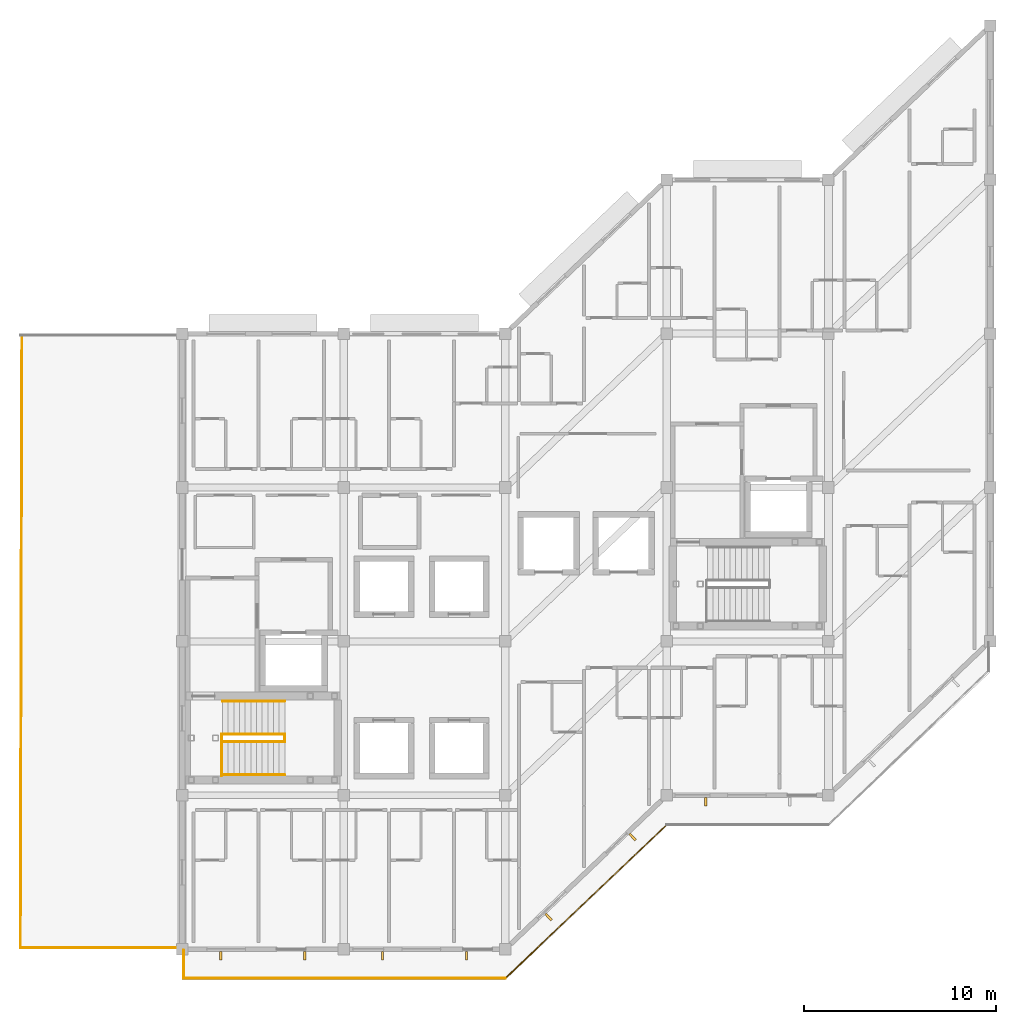
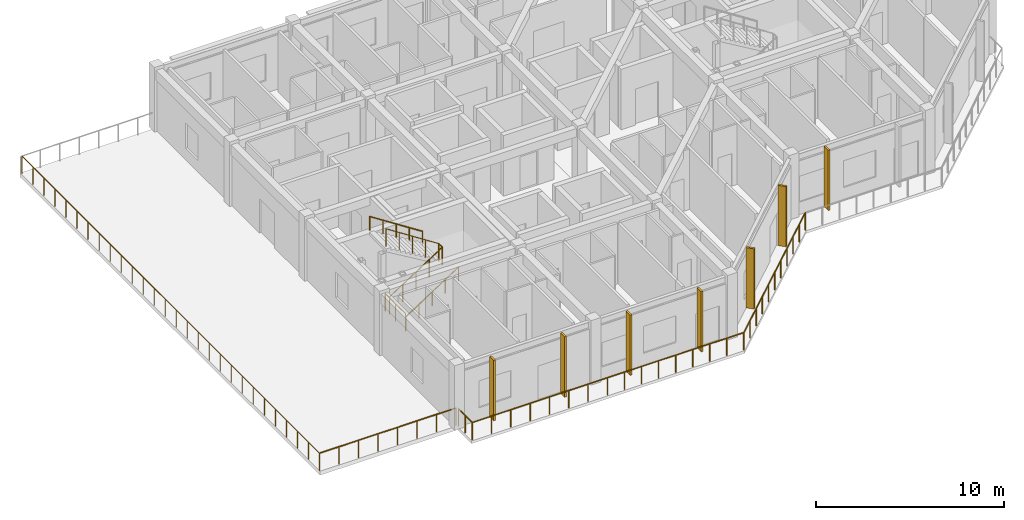
# One storey, part 11 of 13: 12 railings, 7 shading devices.
"""IFC4 building model written with IfcOpenShell, lengths in metres."""

from ifc_helpers import new_model, si_unit, direction, frame, origin, origin_2d, place, context, subcontext, project, spatial, rectangle, circle, extrude, material, layer, layer_set, type_object, element, save


model = new_model("IFC4")

# Units and contexts
model_context = context("Model", 3, precision=1e-05, world=origin(), true_north=direction((0.0, 1.0)))
body_context = subcontext(model_context, "Body", "Model", "MODEL_VIEW")
ifc_project = project(units=[si_unit("LENGTHUNIT", "METRE"), si_unit("AREAUNIT", "SQUARE_METRE"), si_unit("VOLUMEUNIT", "CUBIC_METRE"), si_unit("PLANEANGLEUNIT", "RADIAN"), si_unit("MASSUNIT", "GRAM", prefix="KILO")], contexts=[model_context])

# Site, building, storey
site_placement = place(None, origin())
site = spatial("IfcSite", under=ifc_project, at=site_placement, CompositionType="ELEMENT")
building_placement = place(site_placement, origin())
building = spatial("IfcBuilding", under=site, at=building_placement, Name="Naruveol Harbour Congress Hotel", CompositionType="ELEMENT")
storey_placement = place(building_placement, frame((0.0, 0.0, 43.199951171875)))
storey = spatial("IfcBuildingStorey", under=building, at=storey_placement, Name="L10", CompositionType="ELEMENT", Elevation=43.199951171875)

# Railings
ifc_material_1 = material(Name="Tempered Laminated Safety Glass & Stainless Steel", Category="steel")
ifc_layer_1 = layer(ifc_material_1, 0.06005859375)
ifc_layer_set_1 = layer_set([ifc_layer_1], Name="Tempered Laminated Safety Glass & Stainless Steel")
railing_type_1 = type_object("IfcRailingType", Name="LAMINATED GLASS TERRACE BALUSTRADE 1150", PredefinedType="BALUSTRADE", material=ifc_layer_set_1)
railing_1_placement = place(storey_placement, frame((126.080078125, -0.06005859375, 0.0)))
element("IfcRailing", 1, at=railing_1_placement, inside=storey, type_object=railing_type_1, Name="L10 Harbour balcony balustrade #128", PredefinedType="BALUSTRADE", context=body_context, shape_type="SweptSolid", body=[
    extrude(circle(Radius=0.02392578125, at=origin_2d()), frame((0.0, 0.0, 1.1259765625), z_axis=(0.0, -1.0, 0.0), x_axis=(1.0, 0.0, 0.0)), (0.0, 0.0, 1.0), 1.4599609375),
    extrude(circle(Radius=0.02099609375, at=origin_2d()), origin(), (0.0, 0.0, 1.0), 1.101806640625),
    extrude(circle(Radius=0.02099609375, at=origin_2d()), frame((0.0, -0.72998046875, 0.0)), (0.0, 0.0, 1.0), 1.101806640625),
    extrude(circle(Radius=0.02099609375, at=origin_2d()), frame((0.0, -1.4599609375, 0.0)), (0.0, 0.0, 1.0), 1.101806640625),
])
railing_2_placement = place(storey_placement, frame((126.080078125, -1.52001953125, 0.0)))
element("IfcRailing", 2, at=railing_2_placement, inside=storey, type_object=railing_type_1, Name="L10 Harbour balcony balustrade #129", PredefinedType="BALUSTRADE", context=body_context, shape_type="SweptSolid", body=[
    extrude(circle(Radius=0.02392578125, at=origin_2d()), frame((0.0, 0.0, 1.1259765625), z_axis=(1.0, 0.0, 0.0), x_axis=(0.0, 1.0, 0.0)), (0.0, 0.0, 1.0), 8.31982421875),
    extrude(circle(Radius=0.02099609375, at=origin_2d()), origin(), (0.0, 0.0, 1.0), 1.101806640625),
    extrude(circle(Radius=0.02099609375, at=origin_2d()), frame((1.1884765625, 0.0, 0.0)), (0.0, 0.0, 1.0), 1.101806640625),
    extrude(circle(Radius=0.02099609375, at=origin_2d()), frame((2.377197265625, 0.0, 0.0)), (0.0, 0.0, 1.0), 1.101806640625),
    extrude(circle(Radius=0.02099609375, at=origin_2d()), frame((3.565673828125, 0.0, 0.0)), (0.0, 0.0, 1.0), 1.101806640625),
    extrude(circle(Radius=0.02099609375, at=origin_2d()), frame((4.754150390625, 0.0, 0.0)), (0.0, 0.0, 1.0), 1.101806640625),
    extrude(circle(Radius=0.02099609375, at=origin_2d()), frame((5.942626953125, 0.0, 0.0)), (0.0, 0.0, 1.0), 1.101806640625),
    extrude(circle(Radius=0.02099609375, at=origin_2d()), frame((7.13134765625, 0.0, 0.0)), (0.0, 0.0, 1.0), 1.101806640625),
    extrude(circle(Radius=0.02099609375, at=origin_2d()), frame((8.31982421875, 0.0, 0.0)), (0.0, 0.0, 1.0), 1.101806640625),
])
railing_3_placement = place(storey_placement, frame((134.39990234375, -1.52001953125, 0.0)))
element("IfcRailing", 3, at=railing_3_placement, inside=storey, type_object=railing_type_1, Name="L10 Harbour balcony balustrade #130", PredefinedType="BALUSTRADE", context=body_context, shape_type="SweptSolid", body=[
    extrude(circle(Radius=0.02392578125, at=origin_2d()), frame((0.0, 0.0, 1.1259765625), z_axis=(1.0, 0.0, 0.0), x_axis=(0.0, 1.0, 0.0)), (0.0, 0.0, 1.0), 8.400146484375),
    extrude(circle(Radius=0.02099609375, at=origin_2d()), origin(), (0.0, 0.0, 1.0), 1.101806640625),
    extrude(circle(Radius=0.02099609375, at=origin_2d()), frame((1.050048828125, 0.0, 0.0)), (0.0, 0.0, 1.0), 1.101806640625),
    extrude(circle(Radius=0.02099609375, at=origin_2d()), frame((2.10009765625, 0.0, 0.0)), (0.0, 0.0, 1.0), 1.101806640625),
    extrude(circle(Radius=0.02099609375, at=origin_2d()), frame((3.150146484375, 0.0, 0.0)), (0.0, 0.0, 1.0), 1.101806640625),
    extrude(circle(Radius=0.02099609375, at=origin_2d()), frame((4.2001953125, 0.0, 0.0)), (0.0, 0.0, 1.0), 1.101806640625),
    extrude(circle(Radius=0.02099609375, at=origin_2d()), frame((5.25, 0.0, 0.0)), (0.0, 0.0, 1.0), 1.101806640625),
    extrude(circle(Radius=0.02099609375, at=origin_2d()), frame((6.300048828125, 0.0, 0.0)), (0.0, 0.0, 1.0), 1.101806640625),
    extrude(circle(Radius=0.02099609375, at=origin_2d()), frame((7.35009765625, 0.0, 0.0)), (0.0, 0.0, 1.0), 1.101806640625),
    extrude(circle(Radius=0.02099609375, at=origin_2d()), frame((8.400146484375, 0.0, 0.0)), (0.0, 0.0, 1.0), 1.101806640625),
])
railing_4_placement = place(storey_placement, frame((142.800048828125, -1.52001953125, 0.0)))
element("IfcRailing", 4, at=railing_4_placement, inside=storey, type_object=railing_type_1, Name="L10 Harbour balcony balustrade #131", PredefinedType="BALUSTRADE", context=body_context, shape_type="SweptSolid", body=[
    extrude(circle(Radius=0.02392578125, at=origin_2d()), frame((0.0, 0.0, 1.1259765625), z_axis=(0.724133926887, 0.689659376744, 0.0), x_axis=(-0.689659376744, 0.724133926887, 0.0)), (0.0, 0.0, 1.0), 11.599853515625),
    extrude(circle(Radius=0.02099609375, at=origin_2d()), origin(), (0.0, 0.0, 1.0), 1.101806640625),
    extrude(circle(Radius=0.02099609375, at=origin_2d()), frame((0.840087890625, 0.800048828125, 0.0)), (0.0, 0.0, 1.0), 1.101806640625),
    extrude(circle(Radius=0.02099609375, at=origin_2d()), frame((1.679931640625, 1.60009765625, 0.0)), (0.0, 0.0, 1.0), 1.101806640625),
    extrude(circle(Radius=0.02099609375, at=origin_2d()), frame((2.52001953125, 2.39990234375, 0.0)), (0.0, 0.0, 1.0), 1.101806640625),
    extrude(circle(Radius=0.02099609375, at=origin_2d()), frame((3.35986328125, 3.199951171875, 0.0)), (0.0, 0.0, 1.0), 1.101806640625),
    extrude(circle(Radius=0.02099609375, at=origin_2d()), frame((4.199951171875, 4.0, 0.0)), (0.0, 0.0, 1.0), 1.101806640625),
    extrude(circle(Radius=0.02099609375, at=origin_2d()), frame((5.0400390625, 4.800048828125, 0.0)), (0.0, 0.0, 1.0), 1.101806640625),
    extrude(circle(Radius=0.02099609375, at=origin_2d()), frame((5.8798828125, 5.60009765625, 0.0)), (0.0, 0.0, 1.0), 1.101806640625),
    extrude(circle(Radius=0.02099609375, at=origin_2d()), frame((6.719970703125, 6.39990234375, 0.0)), (0.0, 0.0, 1.0), 1.101806640625),
    extrude(circle(Radius=0.02099609375, at=origin_2d()), frame((7.559814453125, 7.199951171875, 0.0)), (0.0, 0.0, 1.0), 1.101806640625),
    extrude(circle(Radius=0.02099609375, at=origin_2d()), frame((8.39990234375, 8.0, 0.0)), (0.0, 0.0, 1.0), 1.101806640625),
])
railing_5_placement = place(storey_placement, frame((126.0, 0.080078125, 0.0)))
element("IfcRailing", 5, at=railing_5_placement, inside=storey, type_object=railing_type_1, Name="L10 West Harbour Sky Terrace balustrade #135", PredefinedType="BALUSTRADE", context=body_context, shape_type="SweptSolid", body=[
    extrude(circle(Radius=0.02392578125, at=origin_2d()), frame((0.0, 0.0, 1.1259765625), z_axis=(-1.0, 0.0, 0.0), x_axis=(0.0, -1.0, 0.0)), (0.0, 0.0, 1.0), 8.39990234375),
    extrude(circle(Radius=0.02099609375, at=origin_2d()), origin(), (0.0, 0.0, 1.0), 1.101806640625),
    extrude(circle(Radius=0.02099609375, at=origin_2d()), frame((-1.199951171875, 0.0, 0.0)), (0.0, 0.0, 1.0), 1.101806640625),
    extrude(circle(Radius=0.02099609375, at=origin_2d()), frame((-2.39990234375, 0.0, 0.0)), (0.0, 0.0, 1.0), 1.101806640625),
    extrude(circle(Radius=0.02099609375, at=origin_2d()), frame((-3.599853515625, 0.0, 0.0)), (0.0, 0.0, 1.0), 1.101806640625),
    extrude(circle(Radius=0.02099609375, at=origin_2d()), frame((-4.800048828125, 0.0, 0.0)), (0.0, 0.0, 1.0), 1.101806640625),
    extrude(circle(Radius=0.02099609375, at=origin_2d()), frame((-6.0, 0.0, 0.0)), (0.0, 0.0, 1.0), 1.101806640625),
    extrude(circle(Radius=0.02099609375, at=origin_2d()), frame((-7.199951171875, 0.0, 0.0)), (0.0, 0.0, 1.0), 1.101806640625),
    extrude(circle(Radius=0.02099609375, at=origin_2d()), frame((-8.39990234375, 0.0, 0.0)), (0.0, 0.0, 1.0), 1.101806640625),
])
railing_6_placement = place(storey_placement, frame((117.60009765625, 0.080078125, 0.0)))
element("IfcRailing", 6, at=railing_6_placement, inside=storey, type_object=railing_type_1, Name="L10 West Harbour Sky Terrace balustrade #136", PredefinedType="BALUSTRADE", context=body_context, shape_type="SweptSolid", body=[
    extrude(circle(Radius=0.02392578125, at=origin_2d()), frame((0.0, 0.0, 1.1259765625), z_axis=(0.002507353178, 0.999996856585, 0.0), x_axis=(-0.999996856585, 0.002507353178, 0.0)), (0.0, 0.0, 1.0), 31.83984375),
    extrude(circle(Radius=0.02099609375, at=origin_2d()), origin(), (0.0, 0.0, 1.0), 1.101806640625),
    extrude(circle(Radius=0.02099609375, at=origin_2d()), frame((0.0029296875, 1.17919921875, 0.0)), (0.0, 0.0, 1.0), 1.101806640625),
    extrude(circle(Radius=0.02099609375, at=origin_2d()), frame((0.005859375, 2.3583984375, 0.0)), (0.0, 0.0, 1.0), 1.101806640625),
    extrude(circle(Radius=0.02099609375, at=origin_2d()), frame((0.0087890625, 3.537841796875, 0.0)), (0.0, 0.0, 1.0), 1.101806640625),
    extrude(circle(Radius=0.02099609375, at=origin_2d()), frame((0.01171875, 4.717041015625, 0.0)), (0.0, 0.0, 1.0), 1.101806640625),
    extrude(circle(Radius=0.02099609375, at=origin_2d()), frame((0.014892578125, 5.896240234375, 0.0)), (0.0, 0.0, 1.0), 1.101806640625),
    extrude(circle(Radius=0.02099609375, at=origin_2d()), frame((0.017822265625, 7.075439453125, 0.0)), (0.0, 0.0, 1.0), 1.101806640625),
    extrude(circle(Radius=0.02099609375, at=origin_2d()), frame((0.020751953125, 8.2548828125, 0.0)), (0.0, 0.0, 1.0), 1.101806640625),
    extrude(circle(Radius=0.02099609375, at=origin_2d()), frame((0.023681640625, 9.43408203125, 0.0)), (0.0, 0.0, 1.0), 1.101806640625),
    extrude(circle(Radius=0.02099609375, at=origin_2d()), frame((0.026611328125, 10.61328125, 0.0)), (0.0, 0.0, 1.0), 1.101806640625),
    extrude(circle(Radius=0.02099609375, at=origin_2d()), frame((0.029541015625, 11.79248046875, 0.0)), (0.0, 0.0, 1.0), 1.101806640625),
    extrude(circle(Radius=0.02099609375, at=origin_2d()), frame((0.032470703125, 12.9716796875, 0.0)), (0.0, 0.0, 1.0), 1.101806640625),
    extrude(circle(Radius=0.02099609375, at=origin_2d()), frame((0.035400390625, 14.151123046875, 0.0)), (0.0, 0.0, 1.0), 1.101806640625),
    extrude(circle(Radius=0.02099609375, at=origin_2d()), frame((0.038330078125, 15.330322265625, 0.0)), (0.0, 0.0, 1.0), 1.101806640625),
    extrude(circle(Radius=0.02099609375, at=origin_2d()), frame((0.04150390625, 16.509521484375, 0.0)), (0.0, 0.0, 1.0), 1.101806640625),
    extrude(circle(Radius=0.02099609375, at=origin_2d()), frame((0.04443359375, 17.688720703125, 0.0)), (0.0, 0.0, 1.0), 1.101806640625),
    extrude(circle(Radius=0.02099609375, at=origin_2d()), frame((0.04736328125, 18.8681640625, 0.0)), (0.0, 0.0, 1.0), 1.101806640625),
    extrude(circle(Radius=0.02099609375, at=origin_2d()), frame((0.05029296875, 20.04736328125, 0.0)), (0.0, 0.0, 1.0), 1.101806640625),
    extrude(circle(Radius=0.02099609375, at=origin_2d()), frame((0.05322265625, 21.2265625, 0.0)), (0.0, 0.0, 1.0), 1.101806640625),
    extrude(circle(Radius=0.02099609375, at=origin_2d()), frame((0.05615234375, 22.40576171875, 0.0)), (0.0, 0.0, 1.0), 1.101806640625),
    extrude(circle(Radius=0.02099609375, at=origin_2d()), frame((0.05908203125, 23.5849609375, 0.0)), (0.0, 0.0, 1.0), 1.101806640625),
    extrude(circle(Radius=0.02099609375, at=origin_2d()), frame((0.06201171875, 24.764404296875, 0.0)), (0.0, 0.0, 1.0), 1.101806640625),
    extrude(circle(Radius=0.02099609375, at=origin_2d()), frame((0.06494140625, 25.943603515625, 0.0)), (0.0, 0.0, 1.0), 1.101806640625),
    extrude(circle(Radius=0.02099609375, at=origin_2d()), frame((0.068115234375, 27.122802734375, 0.0)), (0.0, 0.0, 1.0), 1.101806640625),
    extrude(circle(Radius=0.02099609375, at=origin_2d()), frame((0.071044921875, 28.302001953125, 0.0)), (0.0, 0.0, 1.0), 1.101806640625),
    extrude(circle(Radius=0.02099609375, at=origin_2d()), frame((0.073974609375, 29.4814453125, 0.0)), (0.0, 0.0, 1.0), 1.101806640625),
    extrude(circle(Radius=0.02099609375, at=origin_2d()), frame((0.076904296875, 30.66064453125, 0.0)), (0.0, 0.0, 1.0), 1.101806640625),
    extrude(circle(Radius=0.02099609375, at=origin_2d()), frame((0.079833984375, 31.83984375, 0.0)), (0.0, 0.0, 1.0), 1.101806640625),
])

# Shading devices
ifc_material_2 = material(Name="Precast concrete C40/50", Category="concrete")
shading_device_type = type_object("IfcShadingDeviceType", Name="PRECAST VERTICAL BRISE SOLEIL FIN 120X450", PredefinedType="JALOUSIE", material=ifc_material_2)
for number, where, z_axis, x_axis, name in (
    (7, (132.384033203125, -0.340087890625, 0.0), (0.0, 0.0, 1.0), (-1.0, 0.0, 0.0), "Precast brise-soleil fin BS-V450 #106"),
    (8, (128.01611328125, -0.340087890625, 0.0), (0.0, 0.0, 1.0), (-1.0, 0.0, 0.0), "Precast brise-soleil fin BS-V450 #107"),
    (9, (140.783935546875, -0.340087890625, 0.0), (0.0, 0.0, 1.0), (-1.0, 0.0, 0.0), "Precast brise-soleil fin BS-V450 #109"),
    (10, (136.416015625, -0.340087890625, 0.0), (0.0, 0.0, 1.0), (-1.0, 0.0, 0.0), "Precast brise-soleil fin BS-V450 #110"),
    (11, (149.4189453125, 5.833984375, 0.0), (0.0, 0.0, 1.0), (-0.724171861437, -0.689619543736, 0.0), "Precast brise-soleil fin BS-V450 #112"),
    (12, (145.051025390625, 1.674072265625, 0.0), (0.0, 0.0, 1.0), (-0.724171861437, -0.689619543736, 0.0), "Precast brise-soleil fin BS-V450 #113"),
    (13, (153.216064453125, 7.659912109375, 0.0), (0.0, 0.0, 1.0), (-1.0, 0.0, 0.0), "Precast brise-soleil fin BS-V450 #116"),
):
    element("IfcShadingDevice", number, at=place(storey_placement, frame(where, z_axis=z_axis, x_axis=x_axis)), inside=storey, type_object=shading_device_type, Name=name, PredefinedType="JALOUSIE", context=body_context, shape_type="SweptSolid", body=[
        extrude(rectangle(XDim=0.1201171875, YDim=0.449951171875, at=origin_2d()), origin(), (0.0, 0.0, 1.0), 3.919921875),
    ])

# Railings
ifc_material_3 = material(Name="Stainless Steel 304", Category="steel")
ifc_layer_2 = layer(ifc_material_3, 0.0419921875)
ifc_layer_set_2 = layer_set([ifc_layer_2], Name="Stainless Steel 304")
railing_type_2 = type_object("IfcRailingType", Name="STAIR WALL MOUNTED HANDRAIL 900", PredefinedType="HANDRAIL", material=ifc_layer_set_2)
railing_7_placement = place(storey_placement, frame((128.10009765625, 9.06005859375, 0.0)))
element("IfcRailing", 14, at=railing_7_placement, inside=storey, type_object=railing_type_2, Name="Stair ST1 L10 lower wall handrail", PredefinedType="HANDRAIL", context=body_context, shape_type="SweptSolid", body=[
    extrude(circle(Radius=0.02392578125, at=origin_2d()), frame((0.0, 0.0, 0.8759765625), z_axis=(0.839514229355, 0.0, 0.543337702273), x_axis=(0.0, 1.0, 0.0)), (0.0, 0.0, 1.0), 3.865234375),
    extrude(circle(Radius=0.02099609375, at=origin_2d()), origin(), (0.0, 0.0, 1.0), 0.851806640625),
    extrude(circle(Radius=0.02099609375, at=origin_2d()), frame((0.811279296875, 0.0, 0.52490234375)), (0.0, 0.0, 1.0), 0.851806640625),
    extrude(circle(Radius=0.02099609375, at=origin_2d()), frame((1.62255859375, 0.0, 1.050048828125)), (0.0, 0.0, 1.0), 0.851806640625),
    extrude(circle(Radius=0.02099609375, at=origin_2d()), frame((2.43359375, 0.0, 1.5751953125)), (0.0, 0.0, 1.0), 0.851806640625),
    extrude(circle(Radius=0.02099609375, at=origin_2d()), frame((3.244873046875, 0.0, 2.10009765625)), (0.0, 0.0, 1.0), 0.851806640625),
])
railing_8_placement = place(storey_placement, frame((131.344970703125, 12.89990234375, 2.10009765625)))
element("IfcRailing", 15, at=railing_8_placement, inside=storey, type_object=railing_type_2, Name="Stair ST1 L10 upper wall handrail", PredefinedType="HANDRAIL", context=body_context, shape_type="SweptSolid", body=[
    extrude(circle(Radius=0.02392578125, at=origin_2d()), frame((0.0, 0.0, 0.8759765625), z_axis=(-0.839543040825, 0.0, 0.543293182916), x_axis=(0.0, -1.0, 0.0)), (0.0, 0.0, 1.0), 3.864990234375),
    extrude(circle(Radius=0.02099609375, at=origin_2d()), origin(), (0.0, 0.0, 1.0), 0.851806640625),
    extrude(circle(Radius=0.02099609375, at=origin_2d()), frame((-0.811279296875, 0.0, 0.52490234375)), (0.0, 0.0, 1.0), 0.851806640625),
    extrude(circle(Radius=0.02099609375, at=origin_2d()), frame((-1.62255859375, 0.0, 1.0498046875)), (0.0, 0.0, 1.0), 0.851806640625),
    extrude(circle(Radius=0.02099609375, at=origin_2d()), frame((-2.43359375, 0.0, 1.574951171875)), (0.0, 0.0, 1.0), 0.851806640625),
    extrude(circle(Radius=0.02099609375, at=origin_2d()), frame((-3.244873046875, 0.0, 2.099853515625)), (0.0, 0.0, 1.0), 0.851806640625),
])
ifc_material_4 = material(Name="Steel SN490", Category="steel")
ifc_layer_3 = layer(ifc_material_4, 0.044921875)
ifc_layer_set_3 = layer_set([ifc_layer_3], Name="Steel SN490")
railing_type_3 = type_object("IfcRailingType", Name="STAIRWELL STEEL GUARDRAIL 1150", PredefinedType="GUARDRAIL", material=ifc_layer_set_3)
railing_9_placement = place(storey_placement, frame((128.10009765625, 10.7900390625, 0.0)))
element("IfcRailing", 16, at=railing_9_placement, inside=storey, type_object=railing_type_3, Name="Stair ST1 L10 lower well guard", PredefinedType="GUARDRAIL", context=body_context, shape_type="SweptSolid", body=[
    extrude(circle(Radius=0.02392578125, at=origin_2d()), frame((0.0, 0.0, 1.1259765625), z_axis=(0.839514229355, 0.0, 0.543337702273), x_axis=(0.0, 1.0, 0.0)), (0.0, 0.0, 1.0), 3.865234375),
    extrude(circle(Radius=0.02099609375, at=origin_2d()), origin(), (0.0, 0.0, 1.0), 1.101806640625),
    extrude(circle(Radius=0.02099609375, at=origin_2d()), frame((0.811279296875, 0.0, 0.52490234375)), (0.0, 0.0, 1.0), 1.101806640625),
    extrude(circle(Radius=0.02099609375, at=origin_2d()), frame((1.62255859375, 0.0, 1.050048828125)), (0.0, 0.0, 1.0), 1.101806640625),
    extrude(circle(Radius=0.02099609375, at=origin_2d()), frame((2.43359375, 0.0, 1.5751953125)), (0.0, 0.0, 1.0), 1.101806640625),
    extrude(circle(Radius=0.02099609375, at=origin_2d()), frame((3.244873046875, 0.0, 2.10009765625)), (0.0, 0.0, 1.0), 1.101806640625),
])
railing_10_placement = place(storey_placement, frame((131.344970703125, 10.7900390625, 2.10009765625)))
element("IfcRailing", 17, at=railing_10_placement, inside=storey, type_object=railing_type_3, Name="Stair ST1 L10 half-landing slot guard", PredefinedType="GUARDRAIL", context=body_context, shape_type="SweptSolid", body=[
    extrude(circle(Radius=0.02392578125, at=origin_2d()), frame((0.0, 0.0, 1.1259765625), z_axis=(0.0, 1.0, 0.0), x_axis=(-1.0, 0.0, 0.0)), (0.0, 0.0, 1.0), 0.3798828125),
    extrude(circle(Radius=0.02099609375, at=origin_2d()), origin(), (0.0, 0.0, 1.0), 1.101806640625),
    extrude(circle(Radius=0.02099609375, at=origin_2d()), frame((0.0, 0.3798828125, 0.0)), (0.0, 0.0, 1.0), 1.101806640625),
])
railing_11_placement = place(storey_placement, frame((131.344970703125, 11.169921875, 2.10009765625)))
element("IfcRailing", 18, at=railing_11_placement, inside=storey, type_object=railing_type_3, Name="Stair ST1 L10 upper well guard", PredefinedType="GUARDRAIL", context=body_context, shape_type="SweptSolid", body=[
    extrude(circle(Radius=0.02392578125, at=origin_2d()), frame((0.0, 0.0, 1.1259765625), z_axis=(-0.839543040825, 0.0, 0.543293182916), x_axis=(0.0, -1.0, 0.0)), (0.0, 0.0, 1.0), 3.864990234375),
    extrude(circle(Radius=0.02099609375, at=origin_2d()), origin(), (0.0, 0.0, 1.0), 1.101806640625),
    extrude(circle(Radius=0.02099609375, at=origin_2d()), frame((-0.811279296875, 0.0, 0.52490234375)), (0.0, 0.0, 1.0), 1.101806640625),
    extrude(circle(Radius=0.02099609375, at=origin_2d()), frame((-1.62255859375, 0.0, 1.0498046875)), (0.0, 0.0, 1.0), 1.101806640625),
    extrude(circle(Radius=0.02099609375, at=origin_2d()), frame((-2.43359375, 0.0, 1.574951171875)), (0.0, 0.0, 1.0), 1.101806640625),
    extrude(circle(Radius=0.02099609375, at=origin_2d()), frame((-3.244873046875, 0.0, 2.099853515625)), (0.0, 0.0, 1.0), 1.101806640625),
])
railing_12_placement = place(storey_placement, frame((128.06005859375, 9.02001953125, 0.0)))
element("IfcRailing", 19, at=railing_12_placement, inside=storey, type_object=railing_type_3, Name="Stair ST1 L10 landing well guard", PredefinedType="GUARDRAIL", context=body_context, shape_type="SweptSolid", body=[
    extrude(circle(Radius=0.02392578125, at=origin_2d()), frame((0.0, 0.0, 1.1259765625), z_axis=(0.0, 1.0, 0.0), x_axis=(-1.0, 0.0, 0.0)), (0.0, 0.0, 1.0), 2.14990234375),
    extrude(circle(Radius=0.02099609375, at=origin_2d()), origin(), (0.0, 0.0, 1.0), 1.101806640625),
    extrude(circle(Radius=0.02099609375, at=origin_2d()), frame((0.0, 1.074951171875, 0.0)), (0.0, 0.0, 1.0), 1.101806640625),
    extrude(circle(Radius=0.02099609375, at=origin_2d()), frame((0.0, 2.14990234375, 0.0)), (0.0, 0.0, 1.0), 1.101806640625),
])

save(model, "model.ifc")
